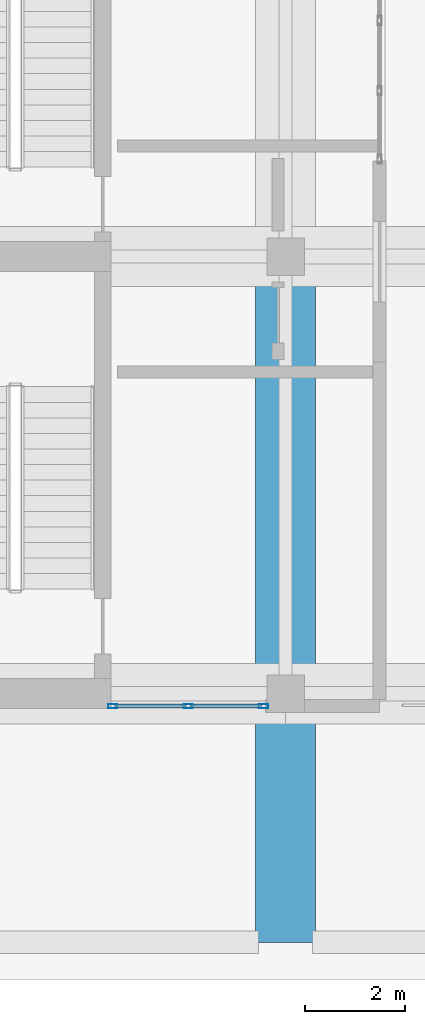
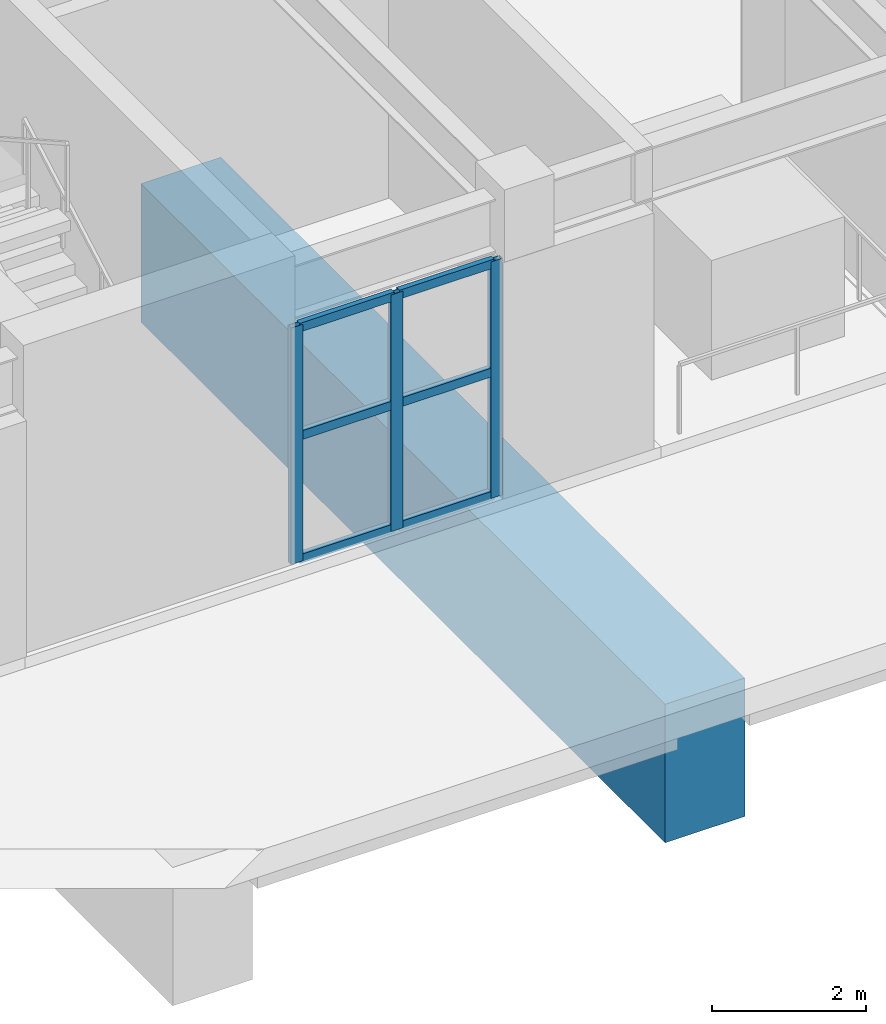
# One storey, part 2 of 16: 9 members, 1 beam, 1 element without a shape of its own.
"""IFC4 building model written with IfcOpenShell, lengths in metres."""

from ifc_helpers import new_model, si_unit, direction, frame, origin, origin_2d, place, context, subcontext, project, spatial, rectangle, hollow_rectangle, extrude, material, layer, layer_set, material_profile, profile_set, type_object, element, aggregate, save


model = new_model("IFC4")

# Units and contexts
model_context = context("Model", 3, precision=1e-05, world=origin(), true_north=direction((0.0, 1.0)))
body_context = subcontext(model_context, "Body", "Model", "MODEL_VIEW")
ifc_project = project(units=[si_unit("LENGTHUNIT", "METRE"), si_unit("AREAUNIT", "SQUARE_METRE"), si_unit("VOLUMEUNIT", "CUBIC_METRE"), si_unit("PLANEANGLEUNIT", "RADIAN"), si_unit("MASSUNIT", "GRAM", prefix="KILO")], contexts=[model_context])

# Site, building, storey
site_placement = place(None, origin())
site = spatial("IfcSite", under=ifc_project, at=site_placement, CompositionType="ELEMENT")
building_placement = place(site_placement, origin())
building = spatial("IfcBuilding", under=site, at=building_placement, Name="Solanera Arch Residences", CompositionType="ELEMENT")
storey_placement = place(building_placement, frame((0.0, 0.0, 278.080078125)))
storey = spatial("IfcBuildingStorey", under=building, at=storey_placement, Name="L80", CompositionType="ELEMENT", Elevation=278.080078125)

# Curtain wall, members
ifc_material_1 = material(Name="Anodised Aluminium Alloy 6063-T6", Category="aluminium")
ifc_layer = layer(ifc_material_1, 0.199951171875)
ifc_layer_set = layer_set([ifc_layer], Name="Anodised Aluminium Alloy 6063-T6")
curtain_wall_type = type_object("IfcCurtainWallType", Name="CW-5 Observatory High-Wind Curtain Wall", PredefinedType="USERDEFINED", material=ifc_layer_set)
curtain_wall_placement = place(storey_placement, origin())
curtain_wall = element("IfcCurtainWall", 1, at=curtain_wall_placement, inside=storey, type_object=curtain_wall_type, Name="L80 Crown South Observatory Curtain Wall", ObjectType="CURTAIN_WALL", PredefinedType="USERDEFINED")
ifc_material_2 = material(Name="Anodised Aluminium Alloy 6063-T6", Category="aluminium")
ifc_material_profile_1 = material_profile(ifc_material_2, hollow_rectangle(XDim=0.080078125, YDim=0.179931640625, WallThickness=0.00390625, at=origin_2d()))
ifc_profile_set_1 = profile_set([ifc_material_profile_1], Name="Anodised Aluminium Alloy 6063-T6")
member_type_1 = type_object("IfcMemberType", Name="Curtain Wall Mullion ALU-MUL-80X180", PredefinedType="MULLION", material=ifc_profile_set_1)
member_1_placement = place(storey_placement, frame((20.360107421875, 21.75, 0.0), z_axis=(0.0, 0.0, 1.0), x_axis=(0.0, -1.0, 0.0)))
member_1 = element("IfcMember", 2, at=member_1_placement, type_object=member_type_1, Name="CW-5 mullion 1", PredefinedType="MULLION", context=body_context, shape_type="SweptSolid", body=[
    extrude(hollow_rectangle(XDim=0.080078125, YDim=0.179931640625, WallThickness=0.00390625, at=origin_2d()), origin(), (0.0, 0.0, 1.0), 3.760009765625),
])
member_2_placement = place(storey_placement, frame((18.860107421875, 21.75, 0.0), z_axis=(0.0, 0.0, 1.0), x_axis=(0.0, -1.0, 0.0)))
member_2 = element("IfcMember", 3, at=member_2_placement, type_object=member_type_1, Name="CW-5 mullion 2", PredefinedType="MULLION", context=body_context, shape_type="SweptSolid", body=[
    extrude(hollow_rectangle(XDim=0.080078125, YDim=0.179931640625, WallThickness=0.00390625, at=origin_2d()), origin(), (0.0, 0.0, 1.0), 3.760009765625),
])
member_3_placement = place(storey_placement, frame((17.360107421875, 21.75, 0.0), z_axis=(0.0, 0.0, 1.0), x_axis=(0.0, -1.0, 0.0)))
member_3 = element("IfcMember", 4, at=member_3_placement, type_object=member_type_1, Name="CW-5 mullion 3", PredefinedType="MULLION", context=body_context, shape_type="SweptSolid", body=[
    extrude(hollow_rectangle(XDim=0.080078125, YDim=0.179931640625, WallThickness=0.00390625, at=origin_2d()), origin(), (0.0, 0.0, 1.0), 3.760009765625),
])
ifc_material_3 = material(Name="Anodised Aluminium Alloy 6063-T6", Category="aluminium")
ifc_material_profile_2 = material_profile(ifc_material_3, hollow_rectangle(XDim=0.080078125, YDim=0.139892578125, WallThickness=0.00390625, at=origin_2d()))
ifc_profile_set_2 = profile_set([ifc_material_profile_2], Name="Anodised Aluminium Alloy 6063-T6")
member_type_2 = type_object("IfcMemberType", Name="Curtain Wall Transom ALU-TRN-80X140", PredefinedType="USERDEFINED", material=ifc_profile_set_2)
member_4_placement = place(storey_placement, frame((20.320068359375, 21.75, 0.0400390625), z_axis=(-1.0, 0.0, 0.0), x_axis=(0.0, -1.0, 0.0)))
member_4 = element("IfcMember", 5, at=member_4_placement, type_object=member_type_2, Name="CW-5 transom 1.1", ObjectType="TRANSOM", PredefinedType="USERDEFINED", context=body_context, shape_type="SweptSolid", body=[
    extrude(hollow_rectangle(XDim=0.080078125, YDim=0.139892578125, WallThickness=0.00390625, at=origin_2d()), origin(), (0.0, 0.0, 1.0), 1.420166015625),
])
member_5_placement = place(storey_placement, frame((20.320068359375, 21.75, 2.0), z_axis=(-1.0, 0.0, 0.0), x_axis=(0.0, -1.0, 0.0)))
member_5 = element("IfcMember", 6, at=member_5_placement, type_object=member_type_2, Name="CW-5 transom 1.2", ObjectType="TRANSOM", PredefinedType="USERDEFINED", context=body_context, shape_type="SweptSolid", body=[
    extrude(hollow_rectangle(XDim=0.080078125, YDim=0.139892578125, WallThickness=0.00390625, at=origin_2d()), origin(), (0.0, 0.0, 1.0), 1.420166015625),
])
member_6_placement = place(storey_placement, frame((20.320068359375, 21.75, 3.719970703125), z_axis=(-1.0, 0.0, 0.0), x_axis=(0.0, -1.0, 0.0)))
member_6 = element("IfcMember", 7, at=member_6_placement, type_object=member_type_2, Name="CW-5 transom 1.3", ObjectType="TRANSOM", PredefinedType="USERDEFINED", context=body_context, shape_type="SweptSolid", body=[
    extrude(hollow_rectangle(XDim=0.080078125, YDim=0.139892578125, WallThickness=0.00390625, at=origin_2d()), origin(), (0.0, 0.0, 1.0), 1.420166015625),
])
member_7_placement = place(storey_placement, frame((18.820068359375, 21.75, 0.0400390625), z_axis=(-1.0, 0.0, 0.0), x_axis=(0.0, -1.0, 0.0)))
member_7 = element("IfcMember", 8, at=member_7_placement, type_object=member_type_2, Name="CW-5 transom 2.1", ObjectType="TRANSOM", PredefinedType="USERDEFINED", context=body_context, shape_type="SweptSolid", body=[
    extrude(hollow_rectangle(XDim=0.080078125, YDim=0.139892578125, WallThickness=0.00390625, at=origin_2d()), origin(), (0.0, 0.0, 1.0), 1.420166015625),
])
member_8_placement = place(storey_placement, frame((18.820068359375, 21.75, 2.0), z_axis=(-1.0, 0.0, 0.0), x_axis=(0.0, -1.0, 0.0)))
member_8 = element("IfcMember", 9, at=member_8_placement, type_object=member_type_2, Name="CW-5 transom 2.2", ObjectType="TRANSOM", PredefinedType="USERDEFINED", context=body_context, shape_type="SweptSolid", body=[
    extrude(hollow_rectangle(XDim=0.080078125, YDim=0.139892578125, WallThickness=0.00390625, at=origin_2d()), origin(), (0.0, 0.0, 1.0), 1.420166015625),
])
member_9_placement = place(storey_placement, frame((18.820068359375, 21.75, 3.719970703125), z_axis=(-1.0, 0.0, 0.0), x_axis=(0.0, -1.0, 0.0)))
member_9 = element("IfcMember", 10, at=member_9_placement, type_object=member_type_2, Name="CW-5 transom 2.3", ObjectType="TRANSOM", PredefinedType="USERDEFINED", context=body_context, shape_type="SweptSolid", body=[
    extrude(hollow_rectangle(XDim=0.080078125, YDim=0.139892578125, WallThickness=0.00390625, at=origin_2d()), origin(), (0.0, 0.0, 1.0), 1.420166015625),
])
aggregate(curtain_wall, [member_1, member_2, member_3, member_4, member_5, member_6, member_7, member_8, member_9])

# Beam
ifc_material_4 = material(Name="Concrete C55/67 (f'c = 60 MPa)", Category="concrete")
ifc_material_profile_3 = material_profile(ifc_material_4, rectangle(XDim=1.199951171875, YDim=2.199951171875, at=origin_2d()))
ifc_profile_set_3 = profile_set([ifc_material_profile_3], Name="Concrete C55/67 (f'c = 60 MPa)")
beam_type = type_object("IfcBeamType", Name="Transfer Girder RC-BM-1200X2200", PredefinedType="BEAM", material=ifc_profile_set_3)
beam_placement = place(storey_placement, frame((20.800048828125, 17.050048828125, -1.52001953125), z_axis=(0.0, 1.0, 0.0), x_axis=(-1.0, 0.0, 0.0)))
element("IfcBeam", 11, at=beam_placement, inside=storey, type_object=beam_type, Name="BM-L80-CRX-NSS-208", PredefinedType="BEAM", context=body_context, shape_type="SweptSolid", body=[
    extrude(rectangle(XDim=1.199951171875, YDim=2.199951171875, at=origin_2d()), origin(), (0.0, 0.0, 1.0), 13.64990234375),
])

save(model, "model.ifc")
